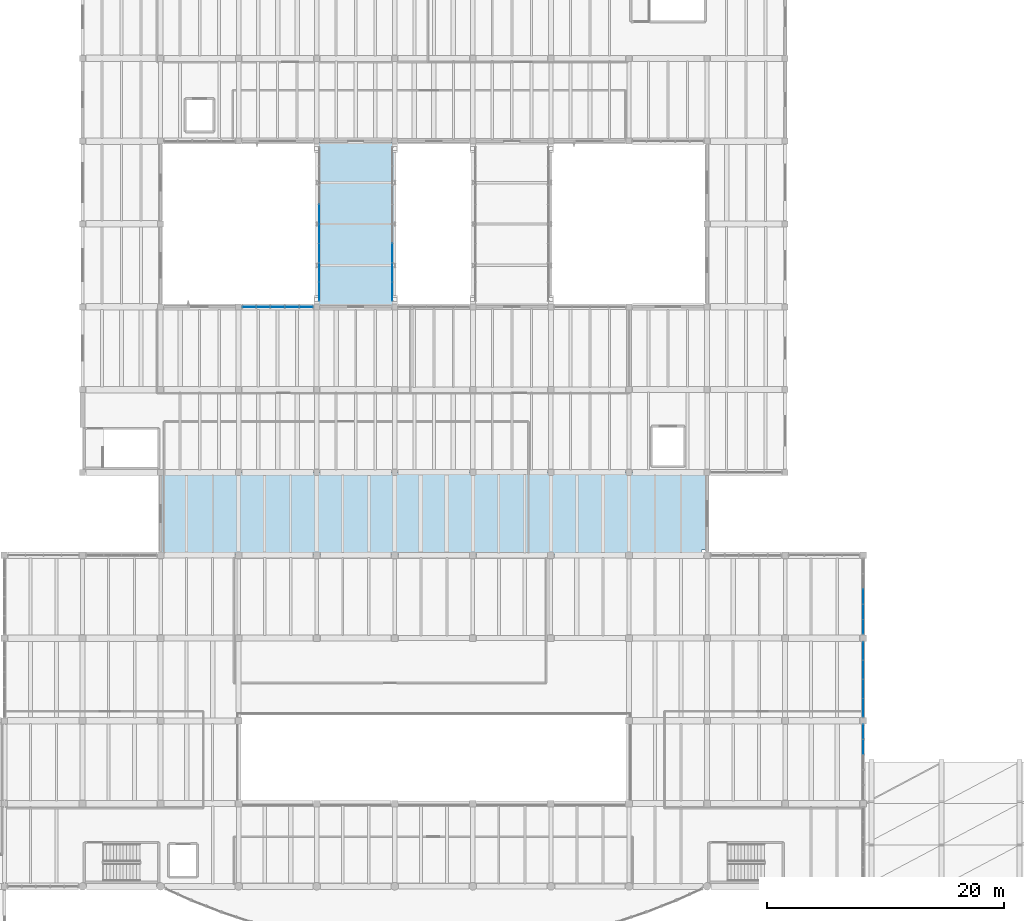
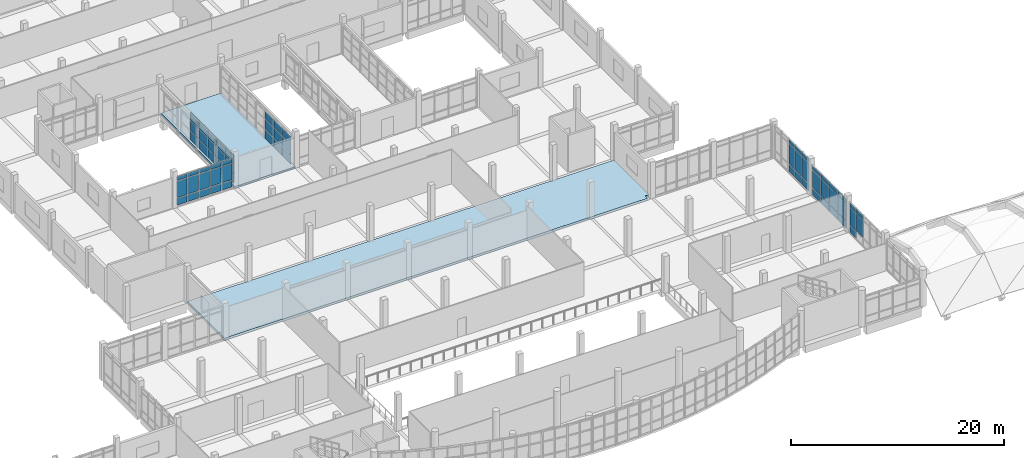
# One storey, part 39 of 65: 65 plates, 2 slabs, 6 elements without a shape of their own.
"""IFC4 building model written with IfcOpenShell, lengths in metres."""

from ifc_helpers import new_model, si_unit, direction, frame, origin, origin_2d, place, context, subcontext, project, spatial, polyline, rectangle, outline, extrude, material, layer, layer_set, type_object, element, aggregate, save


model = new_model("IFC4")

# Units and contexts
model_context = context("Model", 3, precision=1e-05, world=origin(), true_north=direction((0.0, 1.0)))
body_context = subcontext(model_context, "Body", "Model", "MODEL_VIEW")
ifc_project = project(units=[si_unit("LENGTHUNIT", "METRE"), si_unit("AREAUNIT", "SQUARE_METRE"), si_unit("VOLUMEUNIT", "CUBIC_METRE"), si_unit("PLANEANGLEUNIT", "RADIAN"), si_unit("MASSUNIT", "GRAM", prefix="KILO")], contexts=[model_context])

# Site, building, storey
site_placement = place(None, origin())
site = spatial("IfcSite", under=ifc_project, at=site_placement, CompositionType="ELEMENT")
building_placement = place(site_placement, origin())
building = spatial("IfcBuilding", under=site, at=building_placement, Name="Ciguamira Faculty of Natural Sciences", CompositionType="ELEMENT")
storey_placement = place(building_placement, frame((0.0, 0.0, 12.60009765625)))
storey = spatial("IfcBuildingStorey", under=building, at=storey_placement, Name="L03", CompositionType="ELEMENT", Elevation=12.60009765625)

# Curtain wall, plates
ifc_material_1 = material(Name="Anodized aluminium curtain wall", Category="aluminium")
curtain_wall_type_1 = type_object("IfcCurtainWallType", Name="CurtainWall_CW-07", PredefinedType="USERDEFINED", material=ifc_material_1)
curtain_wall_1_placement = place(storey_placement, origin())
curtain_wall_1 = element("IfcCurtainWall", 1, at=curtain_wall_1_placement, inside=storey, type_object=curtain_wall_type_1, Name="L03 unitised curtain wall 0103", ObjectType="UNITISED CURTAIN WALL", PredefinedType="USERDEFINED")
ifc_material_2 = material(Name="Low-E laminated solar glass", Category="glass")
ifc_layer_1 = layer(ifc_material_2, 0.028076171875, Name="Low-E laminated solar glass")
ifc_layer_set_1 = layer_set([ifc_layer_1], Name="Low-E laminated solar glass")
plate_type_1 = type_object("IfcPlateType", Name="CWPanel_CWP-01", PredefinedType="CURTAIN_PANEL", material=ifc_layer_set_1)
plate_1_placement = place(storey_placement, frame((123.300048828125, 21.7900390625, 0.929931640625), z_axis=(0.0, 0.0, 1.0), x_axis=(0.0, 1.0, 0.0)))
plate_1 = element("IfcPlate", 2, at=plate_1_placement, type_object=plate_type_1, Name="CW-07 panel 4.2", PredefinedType="CURTAIN_PANEL", context=body_context, shape_type="SweptSolid", body=[
    extrude(rectangle(XDim=1.22998046875, YDim=0.028076171875, at=origin_2d()), origin(), (0.0, 0.0, 1.0), 1.9951171875),
])
plate_2_placement = place(storey_placement, frame((123.300048828125, 21.7900390625, 2.98486328125), z_axis=(0.0, 0.0, 1.0), x_axis=(0.0, 1.0, 0.0)))
plate_2 = element("IfcPlate", 3, at=plate_2_placement, type_object=plate_type_1, Name="CW-07 panel 4.3", PredefinedType="CURTAIN_PANEL", context=body_context, shape_type="SweptSolid", body=[
    extrude(rectangle(XDim=1.22998046875, YDim=0.028076171875, at=origin_2d()), origin(), (0.0, 0.0, 1.0), 0.4599609375),
])
plate_3_placement = place(storey_placement, frame((123.300048828125, 23.06494140625, 0.059814453125), z_axis=(0.0, 0.0, 1.0), x_axis=(0.0, 1.0, 0.0)))
plate_3 = element("IfcPlate", 4, at=plate_3_placement, type_object=plate_type_1, Name="CW-07 panel 5.1", PredefinedType="CURTAIN_PANEL", context=body_context, shape_type="SweptSolid", body=[
    extrude(rectangle(XDim=1.199951171875, YDim=0.028076171875, at=origin_2d()), origin(), (0.0, 0.0, 1.0), 0.81005859375),
])
plate_4_placement = place(storey_placement, frame((123.300048828125, 23.06494140625, 0.929931640625), z_axis=(0.0, 0.0, 1.0), x_axis=(0.0, 1.0, 0.0)))
plate_4 = element("IfcPlate", 5, at=plate_4_placement, type_object=plate_type_1, Name="CW-07 panel 5.2", PredefinedType="CURTAIN_PANEL", context=body_context, shape_type="SweptSolid", body=[
    extrude(rectangle(XDim=1.199951171875, YDim=0.028076171875, at=origin_2d()), origin(), (0.0, 0.0, 1.0), 1.9951171875),
])
plate_5_placement = place(storey_placement, frame((123.300048828125, 23.06494140625, 2.98486328125), z_axis=(0.0, 0.0, 1.0), x_axis=(0.0, 1.0, 0.0)))
plate_5 = element("IfcPlate", 6, at=plate_5_placement, type_object=plate_type_1, Name="CW-07 panel 5.3", PredefinedType="CURTAIN_PANEL", context=body_context, shape_type="SweptSolid", body=[
    extrude(rectangle(XDim=1.199951171875, YDim=0.028076171875, at=origin_2d()), origin(), (0.0, 0.0, 1.0), 0.4599609375),
])
aggregate(curtain_wall_1, [plate_1, plate_2, plate_3, plate_4, plate_5])

curtain_wall_type_2 = type_object("IfcCurtainWallType", Name="CurtainWall_CW-09", PredefinedType="USERDEFINED", material=ifc_material_1)
curtain_wall_2_placement = place(storey_placement, origin())
curtain_wall_2 = element("IfcCurtainWall", 7, at=curtain_wall_2_placement, inside=storey, type_object=curtain_wall_type_2, Name="L03 unitised curtain wall 0105", ObjectType="UNITISED CURTAIN WALL", PredefinedType="USERDEFINED")
plate_6_placement = place(storey_placement, frame((123.300048828125, 31.93994140625, 0.080078125), z_axis=(0.0, 0.0, 1.0), x_axis=(0.0, 1.0, 0.0)))
plate_6 = element("IfcPlate", 8, at=plate_6_placement, type_object=plate_type_1, Name="CW-09 panel 1.1", PredefinedType="CURTAIN_PANEL", context=body_context, shape_type="SweptSolid", body=[
    extrude(rectangle(XDim=1.169921875, YDim=0.028076171875, at=origin_2d()), origin(), (0.0, 0.0, 1.0), 0.780029296875),
])
plate_7_placement = place(storey_placement, frame((123.300048828125, 31.93994140625, 0.93994140625), z_axis=(0.0, 0.0, 1.0), x_axis=(0.0, 1.0, 0.0)))
plate_7 = element("IfcPlate", 9, at=plate_7_placement, type_object=plate_type_1, Name="CW-09 panel 1.2", PredefinedType="CURTAIN_PANEL", context=body_context, shape_type="SweptSolid", body=[
    extrude(rectangle(XDim=1.169921875, YDim=0.028076171875, at=origin_2d()), origin(), (0.0, 0.0, 1.0), 2.320068359375),
])
plate_8_placement = place(storey_placement, frame((123.300048828125, 31.93994140625, 3.33984375), z_axis=(0.0, 0.0, 1.0), x_axis=(0.0, 1.0, 0.0)))
plate_8 = element("IfcPlate", 10, at=plate_8_placement, type_object=plate_type_1, Name="CW-09 panel 1.3", PredefinedType="CURTAIN_PANEL", context=body_context, shape_type="SweptSolid", body=[
    extrude(rectangle(XDim=1.169921875, YDim=0.028076171875, at=origin_2d()), origin(), (0.0, 0.0, 1.0), 0.429931640625),
])
plate_9_placement = place(storey_placement, frame((123.300048828125, 33.2099609375, 0.080078125), z_axis=(0.0, 0.0, 1.0), x_axis=(0.0, 1.0, 0.0)))
plate_9 = element("IfcPlate", 11, at=plate_9_placement, type_object=plate_type_1, Name="CW-09 panel 2.1", PredefinedType="CURTAIN_PANEL", context=body_context, shape_type="SweptSolid", body=[
    extrude(rectangle(XDim=1.2099609375, YDim=0.028076171875, at=origin_2d()), origin(), (0.0, 0.0, 1.0), 0.780029296875),
])
plate_10_placement = place(storey_placement, frame((123.300048828125, 33.2099609375, 0.93994140625), z_axis=(0.0, 0.0, 1.0), x_axis=(0.0, 1.0, 0.0)))
plate_10 = element("IfcPlate", 12, at=plate_10_placement, type_object=plate_type_1, Name="CW-09 panel 2.2", PredefinedType="CURTAIN_PANEL", context=body_context, shape_type="SweptSolid", body=[
    extrude(rectangle(XDim=1.2099609375, YDim=0.028076171875, at=origin_2d()), origin(), (0.0, 0.0, 1.0), 2.320068359375),
])
plate_11_placement = place(storey_placement, frame((123.300048828125, 33.2099609375, 3.33984375), z_axis=(0.0, 0.0, 1.0), x_axis=(0.0, 1.0, 0.0)))
plate_11 = element("IfcPlate", 13, at=plate_11_placement, type_object=plate_type_1, Name="CW-09 panel 2.3", PredefinedType="CURTAIN_PANEL", context=body_context, shape_type="SweptSolid", body=[
    extrude(rectangle(XDim=1.2099609375, YDim=0.028076171875, at=origin_2d()), origin(), (0.0, 0.0, 1.0), 0.429931640625),
])
plate_12_placement = place(storey_placement, frame((123.300048828125, 34.5, 0.080078125), z_axis=(0.0, 0.0, 1.0), x_axis=(0.0, 1.0, 0.0)))
plate_12 = element("IfcPlate", 14, at=plate_12_placement, type_object=plate_type_1, Name="CW-09 panel 3.1", PredefinedType="CURTAIN_PANEL", context=body_context, shape_type="SweptSolid", body=[
    extrude(rectangle(XDim=1.2099609375, YDim=0.028076171875, at=origin_2d()), origin(), (0.0, 0.0, 1.0), 0.780029296875),
])
plate_13_placement = place(storey_placement, frame((123.300048828125, 34.5, 0.93994140625), z_axis=(0.0, 0.0, 1.0), x_axis=(0.0, 1.0, 0.0)))
plate_13 = element("IfcPlate", 15, at=plate_13_placement, type_object=plate_type_1, Name="CW-09 panel 3.2", PredefinedType="CURTAIN_PANEL", context=body_context, shape_type="SweptSolid", body=[
    extrude(rectangle(XDim=1.2099609375, YDim=0.028076171875, at=origin_2d()), origin(), (0.0, 0.0, 1.0), 2.320068359375),
])
plate_14_placement = place(storey_placement, frame((123.300048828125, 34.5, 3.33984375), z_axis=(0.0, 0.0, 1.0), x_axis=(0.0, 1.0, 0.0)))
plate_14 = element("IfcPlate", 16, at=plate_14_placement, type_object=plate_type_1, Name="CW-09 panel 3.3", PredefinedType="CURTAIN_PANEL", context=body_context, shape_type="SweptSolid", body=[
    extrude(rectangle(XDim=1.2099609375, YDim=0.028076171875, at=origin_2d()), origin(), (0.0, 0.0, 1.0), 0.429931640625),
])
aggregate(curtain_wall_2, [plate_6, plate_7, plate_8, plate_9, plate_10, plate_11, plate_12, plate_13, plate_14])

curtain_wall_type_3 = type_object("IfcCurtainWallType", Name="CurtainWall_CW-10", PredefinedType="USERDEFINED", material=ifc_material_1)
curtain_wall_3_placement = place(storey_placement, origin())
curtain_wall_3 = element("IfcCurtainWall", 17, at=curtain_wall_3_placement, inside=storey, type_object=curtain_wall_type_3, Name="Link bridge BR-3 glazed curtain wall W", ObjectType="UNITISED CURTAIN WALL", PredefinedType="USERDEFINED")
plate_15_placement = place(storey_placement, frame((77.320068359375, 60.28369140625, 0.06005859375), z_axis=(0.0, 0.0, 1.0), x_axis=(0.0, 1.0, 0.0)))
plate_15 = element("IfcPlate", 18, at=plate_15_placement, type_object=plate_type_1, Name="CW-10 panel 1.1", PredefinedType="CURTAIN_PANEL", context=body_context, shape_type="SweptSolid", body=[
    extrude(rectangle(XDim=1.547607421875, YDim=0.028076171875, at=origin_2d()), origin(), (0.0, 0.0, 1.0), 1.010009765625),
])
plate_16_placement = place(storey_placement, frame((77.320068359375, 60.28369140625, 1.1298828125), z_axis=(0.0, 0.0, 1.0), x_axis=(0.0, 1.0, 0.0)))
plate_16 = element("IfcPlate", 19, at=plate_16_placement, type_object=plate_type_1, Name="CW-10 panel 1.2", PredefinedType="CURTAIN_PANEL", context=body_context, shape_type="SweptSolid", body=[
    extrude(rectangle(XDim=1.547607421875, YDim=0.028076171875, at=origin_2d()), origin(), (0.0, 0.0, 1.0), 1.139892578125),
])
plate_17_placement = place(storey_placement, frame((77.320068359375, 60.28369140625, 2.330078125), z_axis=(0.0, 0.0, 1.0), x_axis=(0.0, 1.0, 0.0)))
plate_17 = element("IfcPlate", 20, at=plate_17_placement, type_object=plate_type_1, Name="CW-10 panel 1.3", PredefinedType="CURTAIN_PANEL", context=body_context, shape_type="SweptSolid", body=[
    extrude(rectangle(XDim=1.547607421875, YDim=0.028076171875, at=origin_2d()), origin(), (0.0, 0.0, 1.0), 0.860107421875),
])
plate_18_placement = place(storey_placement, frame((77.320068359375, 61.90625, 0.06005859375), z_axis=(0.0, 0.0, 1.0), x_axis=(0.0, 1.0, 0.0)))
plate_18 = element("IfcPlate", 21, at=plate_18_placement, type_object=plate_type_1, Name="CW-10 panel 2.1", PredefinedType="CURTAIN_PANEL", context=body_context, shape_type="SweptSolid", body=[
    extrude(rectangle(XDim=1.577392578125, YDim=0.028076171875, at=origin_2d()), origin(), (0.0, 0.0, 1.0), 1.010009765625),
])
plate_19_placement = place(storey_placement, frame((77.320068359375, 61.90625, 1.1298828125), z_axis=(0.0, 0.0, 1.0), x_axis=(0.0, 1.0, 0.0)))
plate_19 = element("IfcPlate", 22, at=plate_19_placement, type_object=plate_type_1, Name="CW-10 panel 2.2", PredefinedType="CURTAIN_PANEL", context=body_context, shape_type="SweptSolid", body=[
    extrude(rectangle(XDim=1.577392578125, YDim=0.028076171875, at=origin_2d()), origin(), (0.0, 0.0, 1.0), 1.139892578125),
])
plate_20_placement = place(storey_placement, frame((77.320068359375, 61.90625, 2.330078125), z_axis=(0.0, 0.0, 1.0), x_axis=(0.0, 1.0, 0.0)))
plate_20 = element("IfcPlate", 23, at=plate_20_placement, type_object=plate_type_1, Name="CW-10 panel 2.3", PredefinedType="CURTAIN_PANEL", context=body_context, shape_type="SweptSolid", body=[
    extrude(rectangle(XDim=1.577392578125, YDim=0.028076171875, at=origin_2d()), origin(), (0.0, 0.0, 1.0), 0.860107421875),
])
plate_21_placement = place(storey_placement, frame((77.320068359375, 63.543701171875, 0.06005859375), z_axis=(0.0, 0.0, 1.0), x_axis=(0.0, 1.0, 0.0)))
plate_21 = element("IfcPlate", 24, at=plate_21_placement, type_object=plate_type_1, Name="CW-10 panel 3.1", PredefinedType="CURTAIN_PANEL", context=body_context, shape_type="SweptSolid", body=[
    extrude(rectangle(XDim=1.577392578125, YDim=0.028076171875, at=origin_2d()), origin(), (0.0, 0.0, 1.0), 1.010009765625),
])
plate_22_placement = place(storey_placement, frame((77.320068359375, 63.543701171875, 1.1298828125), z_axis=(0.0, 0.0, 1.0), x_axis=(0.0, 1.0, 0.0)))
plate_22 = element("IfcPlate", 25, at=plate_22_placement, type_object=plate_type_1, Name="CW-10 panel 3.2", PredefinedType="CURTAIN_PANEL", context=body_context, shape_type="SweptSolid", body=[
    extrude(rectangle(XDim=1.577392578125, YDim=0.028076171875, at=origin_2d()), origin(), (0.0, 0.0, 1.0), 1.139892578125),
])
plate_23_placement = place(storey_placement, frame((77.320068359375, 63.543701171875, 2.330078125), z_axis=(0.0, 0.0, 1.0), x_axis=(0.0, 1.0, 0.0)))
plate_23 = element("IfcPlate", 26, at=plate_23_placement, type_object=plate_type_1, Name="CW-10 panel 3.3", PredefinedType="CURTAIN_PANEL", context=body_context, shape_type="SweptSolid", body=[
    extrude(rectangle(XDim=1.577392578125, YDim=0.028076171875, at=origin_2d()), origin(), (0.0, 0.0, 1.0), 0.860107421875),
])
plate_24_placement = place(storey_placement, frame((77.320068359375, 65.18115234375, 0.06005859375), z_axis=(0.0, 0.0, 1.0), x_axis=(0.0, 1.0, 0.0)))
plate_24 = element("IfcPlate", 27, at=plate_24_placement, type_object=plate_type_1, Name="CW-10 panel 4.1", PredefinedType="CURTAIN_PANEL", context=body_context, shape_type="SweptSolid", body=[
    extrude(rectangle(XDim=1.577392578125, YDim=0.028076171875, at=origin_2d()), origin(), (0.0, 0.0, 1.0), 1.010009765625),
])
plate_25_placement = place(storey_placement, frame((77.320068359375, 65.18115234375, 1.1298828125), z_axis=(0.0, 0.0, 1.0), x_axis=(0.0, 1.0, 0.0)))
plate_25 = element("IfcPlate", 28, at=plate_25_placement, type_object=plate_type_1, Name="CW-10 panel 4.2", PredefinedType="CURTAIN_PANEL", context=body_context, shape_type="SweptSolid", body=[
    extrude(rectangle(XDim=1.577392578125, YDim=0.028076171875, at=origin_2d()), origin(), (0.0, 0.0, 1.0), 1.139892578125),
])
plate_26_placement = place(storey_placement, frame((77.320068359375, 65.18115234375, 2.330078125), z_axis=(0.0, 0.0, 1.0), x_axis=(0.0, 1.0, 0.0)))
plate_26 = element("IfcPlate", 29, at=plate_26_placement, type_object=plate_type_1, Name="CW-10 panel 4.3", PredefinedType="CURTAIN_PANEL", context=body_context, shape_type="SweptSolid", body=[
    extrude(rectangle(XDim=1.577392578125, YDim=0.028076171875, at=origin_2d()), origin(), (0.0, 0.0, 1.0), 0.860107421875),
])
plate_27_placement = place(storey_placement, frame((77.320068359375, 66.81884765625, 0.06005859375), z_axis=(0.0, 0.0, 1.0), x_axis=(0.0, 1.0, 0.0)))
plate_27 = element("IfcPlate", 30, at=plate_27_placement, type_object=plate_type_1, Name="CW-10 panel 5.1", PredefinedType="CURTAIN_PANEL", context=body_context, shape_type="SweptSolid", body=[
    extrude(rectangle(XDim=1.577392578125, YDim=0.028076171875, at=origin_2d()), origin(), (0.0, 0.0, 1.0), 1.010009765625),
])
plate_28_placement = place(storey_placement, frame((77.320068359375, 66.81884765625, 1.1298828125), z_axis=(0.0, 0.0, 1.0), x_axis=(0.0, 1.0, 0.0)))
plate_28 = element("IfcPlate", 31, at=plate_28_placement, type_object=plate_type_1, Name="CW-10 panel 5.2", PredefinedType="CURTAIN_PANEL", context=body_context, shape_type="SweptSolid", body=[
    extrude(rectangle(XDim=1.577392578125, YDim=0.028076171875, at=origin_2d()), origin(), (0.0, 0.0, 1.0), 1.139892578125),
])
plate_29_placement = place(storey_placement, frame((77.320068359375, 66.81884765625, 2.330078125), z_axis=(0.0, 0.0, 1.0), x_axis=(0.0, 1.0, 0.0)))
plate_29 = element("IfcPlate", 32, at=plate_29_placement, type_object=plate_type_1, Name="CW-10 panel 5.3", PredefinedType="CURTAIN_PANEL", context=body_context, shape_type="SweptSolid", body=[
    extrude(rectangle(XDim=1.577392578125, YDim=0.028076171875, at=origin_2d()), origin(), (0.0, 0.0, 1.0), 0.860107421875),
])
aggregate(curtain_wall_3, [plate_15, plate_16, plate_17, plate_18, plate_19, plate_20, plate_21, plate_22, plate_23, plate_24, plate_25, plate_26, plate_27, plate_28, plate_29])

curtain_wall_type_4 = type_object("IfcCurtainWallType", Name="CurtainWall_CW-11", PredefinedType="USERDEFINED", material=ifc_material_1)
curtain_wall_4_placement = place(storey_placement, origin())
curtain_wall_4 = element("IfcCurtainWall", 33, at=curtain_wall_4_placement, inside=storey, type_object=curtain_wall_type_4, Name="Link bridge BR-3 glazed curtain wall E", ObjectType="UNITISED CURTAIN WALL", PredefinedType="USERDEFINED")
plate_30_placement = place(storey_placement, frame((83.47998046875, 60.28369140625, 0.06005859375), z_axis=(0.0, 0.0, 1.0), x_axis=(0.0, 1.0, 0.0)))
plate_30 = element("IfcPlate", 34, at=plate_30_placement, type_object=plate_type_1, Name="CW-11 panel 1.1", PredefinedType="CURTAIN_PANEL", context=body_context, shape_type="SweptSolid", body=[
    extrude(rectangle(XDim=1.547607421875, YDim=0.028076171875, at=origin_2d()), origin(), (0.0, 0.0, 1.0), 1.010009765625),
])
plate_31_placement = place(storey_placement, frame((83.47998046875, 60.28369140625, 1.1298828125), z_axis=(0.0, 0.0, 1.0), x_axis=(0.0, 1.0, 0.0)))
plate_31 = element("IfcPlate", 35, at=plate_31_placement, type_object=plate_type_1, Name="CW-11 panel 1.2", PredefinedType="CURTAIN_PANEL", context=body_context, shape_type="SweptSolid", body=[
    extrude(rectangle(XDim=1.547607421875, YDim=0.028076171875, at=origin_2d()), origin(), (0.0, 0.0, 1.0), 1.139892578125),
])
plate_32_placement = place(storey_placement, frame((83.47998046875, 60.28369140625, 2.330078125), z_axis=(0.0, 0.0, 1.0), x_axis=(0.0, 1.0, 0.0)))
plate_32 = element("IfcPlate", 36, at=plate_32_placement, type_object=plate_type_1, Name="CW-11 panel 1.3", PredefinedType="CURTAIN_PANEL", context=body_context, shape_type="SweptSolid", body=[
    extrude(rectangle(XDim=1.547607421875, YDim=0.028076171875, at=origin_2d()), origin(), (0.0, 0.0, 1.0), 0.860107421875),
])
plate_33_placement = place(storey_placement, frame((83.47998046875, 61.90625, 0.06005859375), z_axis=(0.0, 0.0, 1.0), x_axis=(0.0, 1.0, 0.0)))
plate_33 = element("IfcPlate", 37, at=plate_33_placement, type_object=plate_type_1, Name="CW-11 panel 2.1", PredefinedType="CURTAIN_PANEL", context=body_context, shape_type="SweptSolid", body=[
    extrude(rectangle(XDim=1.577392578125, YDim=0.028076171875, at=origin_2d()), origin(), (0.0, 0.0, 1.0), 1.010009765625),
])
plate_34_placement = place(storey_placement, frame((83.47998046875, 61.90625, 1.1298828125), z_axis=(0.0, 0.0, 1.0), x_axis=(0.0, 1.0, 0.0)))
plate_34 = element("IfcPlate", 38, at=plate_34_placement, type_object=plate_type_1, Name="CW-11 panel 2.2", PredefinedType="CURTAIN_PANEL", context=body_context, shape_type="SweptSolid", body=[
    extrude(rectangle(XDim=1.577392578125, YDim=0.028076171875, at=origin_2d()), origin(), (0.0, 0.0, 1.0), 1.139892578125),
])
plate_35_placement = place(storey_placement, frame((83.47998046875, 61.90625, 2.330078125), z_axis=(0.0, 0.0, 1.0), x_axis=(0.0, 1.0, 0.0)))
plate_35 = element("IfcPlate", 39, at=plate_35_placement, type_object=plate_type_1, Name="CW-11 panel 2.3", PredefinedType="CURTAIN_PANEL", context=body_context, shape_type="SweptSolid", body=[
    extrude(rectangle(XDim=1.577392578125, YDim=0.028076171875, at=origin_2d()), origin(), (0.0, 0.0, 1.0), 0.860107421875),
])
plate_36_placement = place(storey_placement, frame((83.47998046875, 63.543701171875, 0.06005859375), z_axis=(0.0, 0.0, 1.0), x_axis=(0.0, 1.0, 0.0)))
plate_36 = element("IfcPlate", 40, at=plate_36_placement, type_object=plate_type_1, Name="CW-11 panel 3.1", PredefinedType="CURTAIN_PANEL", context=body_context, shape_type="SweptSolid", body=[
    extrude(rectangle(XDim=1.577392578125, YDim=0.028076171875, at=origin_2d()), origin(), (0.0, 0.0, 1.0), 1.010009765625),
])
plate_37_placement = place(storey_placement, frame((83.47998046875, 63.543701171875, 1.1298828125), z_axis=(0.0, 0.0, 1.0), x_axis=(0.0, 1.0, 0.0)))
plate_37 = element("IfcPlate", 41, at=plate_37_placement, type_object=plate_type_1, Name="CW-11 panel 3.2", PredefinedType="CURTAIN_PANEL", context=body_context, shape_type="SweptSolid", body=[
    extrude(rectangle(XDim=1.577392578125, YDim=0.028076171875, at=origin_2d()), origin(), (0.0, 0.0, 1.0), 1.139892578125),
])
plate_38_placement = place(storey_placement, frame((83.47998046875, 63.543701171875, 2.330078125), z_axis=(0.0, 0.0, 1.0), x_axis=(0.0, 1.0, 0.0)))
plate_38 = element("IfcPlate", 42, at=plate_38_placement, type_object=plate_type_1, Name="CW-11 panel 3.3", PredefinedType="CURTAIN_PANEL", context=body_context, shape_type="SweptSolid", body=[
    extrude(rectangle(XDim=1.577392578125, YDim=0.028076171875, at=origin_2d()), origin(), (0.0, 0.0, 1.0), 0.860107421875),
])
aggregate(curtain_wall_4, [plate_30, plate_31, plate_32, plate_33, plate_34, plate_35, plate_36, plate_37, plate_38])

curtain_wall_type_5 = type_object("IfcCurtainWallType", Name="CurtainWall_CW-06", PredefinedType="USERDEFINED", material=ifc_material_1)
curtain_wall_5_placement = place(storey_placement, origin())
curtain_wall_5 = element("IfcCurtainWall", 43, at=curtain_wall_5_placement, inside=storey, type_object=curtain_wall_type_5, Name="L03 unitised curtain wall 0090", ObjectType="UNITISED CURTAIN WALL", PredefinedType="USERDEFINED")
ifc_layer_2 = layer(ifc_material_2, 0.035888671875, Name="Low-E laminated solar glass")
ifc_layer_set_2 = layer_set([ifc_layer_2], Name="Low-E laminated solar glass")
plate_type_2 = type_object("IfcPlateType", Name="CWPanel_CWP-02", PredefinedType="CURTAIN_PANEL", material=ifc_layer_set_2)
plate_39_placement = place(storey_placement, frame((71.3798828125, 59.0, 0.080078125), z_axis=(0.0, 0.0, 1.0), x_axis=(1.0, 0.0, 0.0)))
plate_39 = element("IfcPlate", 44, at=plate_39_placement, type_object=plate_type_2, Name="CW-06 panel 1.1", PredefinedType="CURTAIN_PANEL", context=body_context, shape_type="SweptSolid", body=[
    extrude(rectangle(XDim=1.10009765625, YDim=0.035888671875, at=origin_2d()), origin(), (0.0, 0.0, 1.0), 0.780029296875),
])
plate_40_placement = place(storey_placement, frame((71.3798828125, 59.0, 0.93994140625), z_axis=(0.0, 0.0, 1.0), x_axis=(1.0, 0.0, 0.0)))
plate_40 = element("IfcPlate", 45, at=plate_40_placement, type_object=plate_type_2, Name="CW-06 panel 1.2", PredefinedType="CURTAIN_PANEL", context=body_context, shape_type="SweptSolid", body=[
    extrude(rectangle(XDim=1.10009765625, YDim=0.035888671875, at=origin_2d()), origin(), (0.0, 0.0, 1.0), 1.875),
])
plate_41_placement = place(storey_placement, frame((71.3798828125, 59.0, 2.89501953125), z_axis=(0.0, 0.0, 1.0), x_axis=(1.0, 0.0, 0.0)))
plate_41 = element("IfcPlate", 46, at=plate_41_placement, type_object=plate_type_2, Name="CW-06 panel 1.3", PredefinedType="CURTAIN_PANEL", context=body_context, shape_type="SweptSolid", body=[
    extrude(rectangle(XDim=1.10009765625, YDim=0.035888671875, at=origin_2d()), origin(), (0.0, 0.0, 1.0), 0.429931640625),
])
plate_42_placement = place(storey_placement, frame((72.580078125, 59.0, 0.080078125), z_axis=(0.0, 0.0, 1.0), x_axis=(1.0, 0.0, 0.0)))
plate_42 = element("IfcPlate", 47, at=plate_42_placement, type_object=plate_type_2, Name="CW-06 panel 2.1", PredefinedType="CURTAIN_PANEL", context=body_context, shape_type="SweptSolid", body=[
    extrude(rectangle(XDim=1.139892578125, YDim=0.035888671875, at=origin_2d()), origin(), (0.0, 0.0, 1.0), 0.780029296875),
])
plate_43_placement = place(storey_placement, frame((72.580078125, 59.0, 0.93994140625), z_axis=(0.0, 0.0, 1.0), x_axis=(1.0, 0.0, 0.0)))
plate_43 = element("IfcPlate", 48, at=plate_43_placement, type_object=plate_type_2, Name="CW-06 panel 2.2", PredefinedType="CURTAIN_PANEL", context=body_context, shape_type="SweptSolid", body=[
    extrude(rectangle(XDim=1.139892578125, YDim=0.035888671875, at=origin_2d()), origin(), (0.0, 0.0, 1.0), 1.875),
])
plate_44_placement = place(storey_placement, frame((72.580078125, 59.0, 2.89501953125), z_axis=(0.0, 0.0, 1.0), x_axis=(1.0, 0.0, 0.0)))
plate_44 = element("IfcPlate", 49, at=plate_44_placement, type_object=plate_type_2, Name="CW-06 panel 2.3", PredefinedType="CURTAIN_PANEL", context=body_context, shape_type="SweptSolid", body=[
    extrude(rectangle(XDim=1.139892578125, YDim=0.035888671875, at=origin_2d()), origin(), (0.0, 0.0, 1.0), 0.429931640625),
])
plate_45_placement = place(storey_placement, frame((73.800048828125, 59.0, 0.080078125), z_axis=(0.0, 0.0, 1.0), x_axis=(1.0, 0.0, 0.0)))
plate_45 = element("IfcPlate", 50, at=plate_45_placement, type_object=plate_type_2, Name="CW-06 panel 3.1", PredefinedType="CURTAIN_PANEL", context=body_context, shape_type="SweptSolid", body=[
    extrude(rectangle(XDim=1.139892578125, YDim=0.035888671875, at=origin_2d()), origin(), (0.0, 0.0, 1.0), 0.780029296875),
])
plate_46_placement = place(storey_placement, frame((73.800048828125, 59.0, 0.93994140625), z_axis=(0.0, 0.0, 1.0), x_axis=(1.0, 0.0, 0.0)))
plate_46 = element("IfcPlate", 51, at=plate_46_placement, type_object=plate_type_2, Name="CW-06 panel 3.2", PredefinedType="CURTAIN_PANEL", context=body_context, shape_type="SweptSolid", body=[
    extrude(rectangle(XDim=1.139892578125, YDim=0.035888671875, at=origin_2d()), origin(), (0.0, 0.0, 1.0), 1.875),
])
plate_47_placement = place(storey_placement, frame((73.800048828125, 59.0, 2.89501953125), z_axis=(0.0, 0.0, 1.0), x_axis=(1.0, 0.0, 0.0)))
plate_47 = element("IfcPlate", 52, at=plate_47_placement, type_object=plate_type_2, Name="CW-06 panel 3.3", PredefinedType="CURTAIN_PANEL", context=body_context, shape_type="SweptSolid", body=[
    extrude(rectangle(XDim=1.139892578125, YDim=0.035888671875, at=origin_2d()), origin(), (0.0, 0.0, 1.0), 0.429931640625),
])
plate_48_placement = place(storey_placement, frame((75.02001953125, 59.0, 0.080078125), z_axis=(0.0, 0.0, 1.0), x_axis=(1.0, 0.0, 0.0)))
plate_48 = element("IfcPlate", 53, at=plate_48_placement, type_object=plate_type_2, Name="CW-06 panel 4.1", PredefinedType="CURTAIN_PANEL", context=body_context, shape_type="SweptSolid", body=[
    extrude(rectangle(XDim=1.139892578125, YDim=0.035888671875, at=origin_2d()), origin(), (0.0, 0.0, 1.0), 0.780029296875),
])
plate_49_placement = place(storey_placement, frame((75.02001953125, 59.0, 0.93994140625), z_axis=(0.0, 0.0, 1.0), x_axis=(1.0, 0.0, 0.0)))
plate_49 = element("IfcPlate", 54, at=plate_49_placement, type_object=plate_type_2, Name="CW-06 panel 4.2", PredefinedType="CURTAIN_PANEL", context=body_context, shape_type="SweptSolid", body=[
    extrude(rectangle(XDim=1.139892578125, YDim=0.035888671875, at=origin_2d()), origin(), (0.0, 0.0, 1.0), 1.875),
])
plate_50_placement = place(storey_placement, frame((75.02001953125, 59.0, 2.89501953125), z_axis=(0.0, 0.0, 1.0), x_axis=(1.0, 0.0, 0.0)))
plate_50 = element("IfcPlate", 55, at=plate_50_placement, type_object=plate_type_2, Name="CW-06 panel 4.3", PredefinedType="CURTAIN_PANEL", context=body_context, shape_type="SweptSolid", body=[
    extrude(rectangle(XDim=1.139892578125, YDim=0.035888671875, at=origin_2d()), origin(), (0.0, 0.0, 1.0), 0.429931640625),
])
plate_51_placement = place(storey_placement, frame((76.219970703125, 59.0, 0.080078125), z_axis=(0.0, 0.0, 1.0), x_axis=(1.0, 0.0, 0.0)))
plate_51 = element("IfcPlate", 56, at=plate_51_placement, type_object=plate_type_2, Name="CW-06 panel 5.1", PredefinedType="CURTAIN_PANEL", context=body_context, shape_type="SweptSolid", body=[
    extrude(rectangle(XDim=1.10009765625, YDim=0.035888671875, at=origin_2d()), origin(), (0.0, 0.0, 1.0), 0.780029296875),
])
plate_52_placement = place(storey_placement, frame((76.219970703125, 59.0, 0.93994140625), z_axis=(0.0, 0.0, 1.0), x_axis=(1.0, 0.0, 0.0)))
plate_52 = element("IfcPlate", 57, at=plate_52_placement, type_object=plate_type_2, Name="CW-06 panel 5.2", PredefinedType="CURTAIN_PANEL", context=body_context, shape_type="SweptSolid", body=[
    extrude(rectangle(XDim=1.10009765625, YDim=0.035888671875, at=origin_2d()), origin(), (0.0, 0.0, 1.0), 1.875),
])
plate_53_placement = place(storey_placement, frame((76.219970703125, 59.0, 2.89501953125), z_axis=(0.0, 0.0, 1.0), x_axis=(1.0, 0.0, 0.0)))
plate_53 = element("IfcPlate", 58, at=plate_53_placement, type_object=plate_type_2, Name="CW-06 panel 5.3", PredefinedType="CURTAIN_PANEL", context=body_context, shape_type="SweptSolid", body=[
    extrude(rectangle(XDim=1.10009765625, YDim=0.035888671875, at=origin_2d()), origin(), (0.0, 0.0, 1.0), 0.429931640625),
])
aggregate(curtain_wall_5, [plate_39, plate_40, plate_41, plate_42, plate_43, plate_44, plate_45, plate_46, plate_47, plate_48, plate_49, plate_50, plate_51, plate_52, plate_53])

curtain_wall_type_6 = type_object("IfcCurtainWallType", Name="CurtainWall_CW-08", PredefinedType="USERDEFINED", material=ifc_material_1)
curtain_wall_6_placement = place(storey_placement, origin())
curtain_wall_6 = element("IfcCurtainWall", 59, at=curtain_wall_6_placement, inside=storey, type_object=curtain_wall_type_6, Name="L03 unitised curtain wall 0104", ObjectType="UNITISED CURTAIN WALL", PredefinedType="USERDEFINED")
plate_54_placement = place(storey_placement, frame((123.300048828125, 25.0986328125, 0.06982421875), z_axis=(0.0, 0.0, 1.0), x_axis=(0.0, 1.0, 0.0)))
plate_54 = element("IfcPlate", 60, at=plate_54_placement, type_object=plate_type_2, Name="CW-08 panel 1.1", PredefinedType="CURTAIN_PANEL", context=body_context, shape_type="SweptSolid", body=[
    extrude(rectangle(XDim=1.507568359375, YDim=0.035888671875, at=origin_2d()), origin(), (0.0, 0.0, 1.0), 0.794921875),
])
plate_55_placement = place(storey_placement, frame((123.300048828125, 25.0986328125, 0.93505859375), z_axis=(0.0, 0.0, 1.0), x_axis=(0.0, 1.0, 0.0)))
plate_55 = element("IfcPlate", 61, at=plate_55_placement, type_object=plate_type_2, Name="CW-08 panel 1.2", PredefinedType="CURTAIN_PANEL", context=body_context, shape_type="SweptSolid", body=[
    extrude(rectangle(XDim=1.507568359375, YDim=0.035888671875, at=origin_2d()), origin(), (0.0, 0.0, 1.0), 1.985107421875),
])
plate_56_placement = place(storey_placement, frame((123.300048828125, 25.0986328125, 2.98974609375), z_axis=(0.0, 0.0, 1.0), x_axis=(0.0, 1.0, 0.0)))
plate_56 = element("IfcPlate", 62, at=plate_56_placement, type_object=plate_type_2, Name="CW-08 panel 1.3", PredefinedType="CURTAIN_PANEL", context=body_context, shape_type="SweptSolid", body=[
    extrude(rectangle(XDim=1.507568359375, YDim=0.035888671875, at=origin_2d()), origin(), (0.0, 0.0, 1.0), 0.445068359375),
])
plate_57_placement = place(storey_placement, frame((123.300048828125, 26.69384765625, 0.06982421875), z_axis=(0.0, 0.0, 1.0), x_axis=(0.0, 1.0, 0.0)))
plate_57 = element("IfcPlate", 63, at=plate_57_placement, type_object=plate_type_2, Name="CW-08 panel 2.1", PredefinedType="CURTAIN_PANEL", context=body_context, shape_type="SweptSolid", body=[
    extrude(rectangle(XDim=1.54248046875, YDim=0.035888671875, at=origin_2d()), origin(), (0.0, 0.0, 1.0), 0.794921875),
])
plate_58_placement = place(storey_placement, frame((123.300048828125, 26.69384765625, 0.93505859375), z_axis=(0.0, 0.0, 1.0), x_axis=(0.0, 1.0, 0.0)))
plate_58 = element("IfcPlate", 64, at=plate_58_placement, type_object=plate_type_2, Name="CW-08 panel 2.2", PredefinedType="CURTAIN_PANEL", context=body_context, shape_type="SweptSolid", body=[
    extrude(rectangle(XDim=1.54248046875, YDim=0.035888671875, at=origin_2d()), origin(), (0.0, 0.0, 1.0), 1.985107421875),
])
plate_59_placement = place(storey_placement, frame((123.300048828125, 26.69384765625, 2.98974609375), z_axis=(0.0, 0.0, 1.0), x_axis=(0.0, 1.0, 0.0)))
plate_59 = element("IfcPlate", 65, at=plate_59_placement, type_object=plate_type_2, Name="CW-08 panel 2.3", PredefinedType="CURTAIN_PANEL", context=body_context, shape_type="SweptSolid", body=[
    extrude(rectangle(XDim=1.54248046875, YDim=0.035888671875, at=origin_2d()), origin(), (0.0, 0.0, 1.0), 0.445068359375),
])
plate_60_placement = place(storey_placement, frame((123.300048828125, 28.30615234375, 0.06982421875), z_axis=(0.0, 0.0, 1.0), x_axis=(0.0, 1.0, 0.0)))
plate_60 = element("IfcPlate", 66, at=plate_60_placement, type_object=plate_type_2, Name="CW-08 panel 3.1", PredefinedType="CURTAIN_PANEL", context=body_context, shape_type="SweptSolid", body=[
    extrude(rectangle(XDim=1.54248046875, YDim=0.035888671875, at=origin_2d()), origin(), (0.0, 0.0, 1.0), 0.794921875),
])
plate_61_placement = place(storey_placement, frame((123.300048828125, 28.30615234375, 0.93505859375), z_axis=(0.0, 0.0, 1.0), x_axis=(0.0, 1.0, 0.0)))
plate_61 = element("IfcPlate", 67, at=plate_61_placement, type_object=plate_type_2, Name="CW-08 panel 3.2", PredefinedType="CURTAIN_PANEL", context=body_context, shape_type="SweptSolid", body=[
    extrude(rectangle(XDim=1.54248046875, YDim=0.035888671875, at=origin_2d()), origin(), (0.0, 0.0, 1.0), 1.985107421875),
])
plate_62_placement = place(storey_placement, frame((123.300048828125, 28.30615234375, 2.98974609375), z_axis=(0.0, 0.0, 1.0), x_axis=(0.0, 1.0, 0.0)))
plate_62 = element("IfcPlate", 68, at=plate_62_placement, type_object=plate_type_2, Name="CW-08 panel 3.3", PredefinedType="CURTAIN_PANEL", context=body_context, shape_type="SweptSolid", body=[
    extrude(rectangle(XDim=1.54248046875, YDim=0.035888671875, at=origin_2d()), origin(), (0.0, 0.0, 1.0), 0.445068359375),
])
plate_63_placement = place(storey_placement, frame((123.300048828125, 29.9013671875, 0.06982421875), z_axis=(0.0, 0.0, 1.0), x_axis=(0.0, 1.0, 0.0)))
plate_63 = element("IfcPlate", 69, at=plate_63_placement, type_object=plate_type_2, Name="CW-08 panel 4.1", PredefinedType="CURTAIN_PANEL", context=body_context, shape_type="SweptSolid", body=[
    extrude(rectangle(XDim=1.507568359375, YDim=0.035888671875, at=origin_2d()), origin(), (0.0, 0.0, 1.0), 0.794921875),
])
plate_64_placement = place(storey_placement, frame((123.300048828125, 29.9013671875, 0.93505859375), z_axis=(0.0, 0.0, 1.0), x_axis=(0.0, 1.0, 0.0)))
plate_64 = element("IfcPlate", 70, at=plate_64_placement, type_object=plate_type_2, Name="CW-08 panel 4.2", PredefinedType="CURTAIN_PANEL", context=body_context, shape_type="SweptSolid", body=[
    extrude(rectangle(XDim=1.507568359375, YDim=0.035888671875, at=origin_2d()), origin(), (0.0, 0.0, 1.0), 1.985107421875),
])
plate_65_placement = place(storey_placement, frame((123.300048828125, 29.9013671875, 2.98974609375), z_axis=(0.0, 0.0, 1.0), x_axis=(0.0, 1.0, 0.0)))
plate_65 = element("IfcPlate", 71, at=plate_65_placement, type_object=plate_type_2, Name="CW-08 panel 4.3", PredefinedType="CURTAIN_PANEL", context=body_context, shape_type="SweptSolid", body=[
    extrude(rectangle(XDim=1.507568359375, YDim=0.035888671875, at=origin_2d()), origin(), (0.0, 0.0, 1.0), 0.445068359375),
])
aggregate(curtain_wall_6, [plate_54, plate_55, plate_56, plate_57, plate_58, plate_59, plate_60, plate_61, plate_62, plate_63, plate_64, plate_65])

# Slabs
ifc_material_3 = material(Name="Concrete C40/50", Category="concrete")
ifc_layer_3 = layer(ifc_material_3, 0.280029296875, Name="Concrete C40/50")
ifc_layer_set_3 = layer_set([ifc_layer_3], Name="Concrete C40/50")
slab_type_1 = type_object("IfcSlabType", Name="Slab_SF-03_280", PredefinedType="FLOOR", material=ifc_layer_set_3)
slab_1_placement = place(storey_placement, frame((0.0, 0.0, -0.280029296875)))
element("IfcSlab", 72, at=slab_1_placement, inside=storey, type_object=slab_type_1, Name="L03 V4C structural slab", PredefinedType="FLOOR", context=body_context, shape_type="SweptSolid", body=[
    extrude(outline(polyline([(63.89990234375, 38.0), (109.64990234375, 38.0), (109.64990234375, 38.449951171875), (110.10009765625, 38.449951171875), (110.10009765625, 45.0), (63.89990234375, 45.0), (63.89990234375, 38.0)])), origin(), (0.0, 0.0, 1.0), 0.280029296875),
])
ifc_layer_4 = layer(ifc_material_3, 0.219970703125, Name="Concrete C40/50")
ifc_layer_set_4 = layer_set([ifc_layer_4], Name="Concrete C40/50")
slab_type_2 = type_object("IfcSlabType", Name="Slab_SF-06_220", PredefinedType="FLOOR", material=ifc_layer_set_4)
slab_2_placement = place(storey_placement, frame((0.0, 0.0, -0.22021484375)))
element("IfcSlab", 73, at=slab_2_placement, inside=storey, type_object=slab_type_2, Name="Link bridge BR-1 deck", PredefinedType="FLOOR", context=body_context, shape_type="SweptSolid", body=[
    extrude(outline(polyline([(77.10009765625, 59.0), (83.699951171875, 59.0), (83.699951171875, 72.89990234375), (77.10009765625, 72.89990234375), (77.10009765625, 59.0)])), origin(), (0.0, 0.0, 1.0), 0.22021484375),
])

save(model, "model.ifc")
